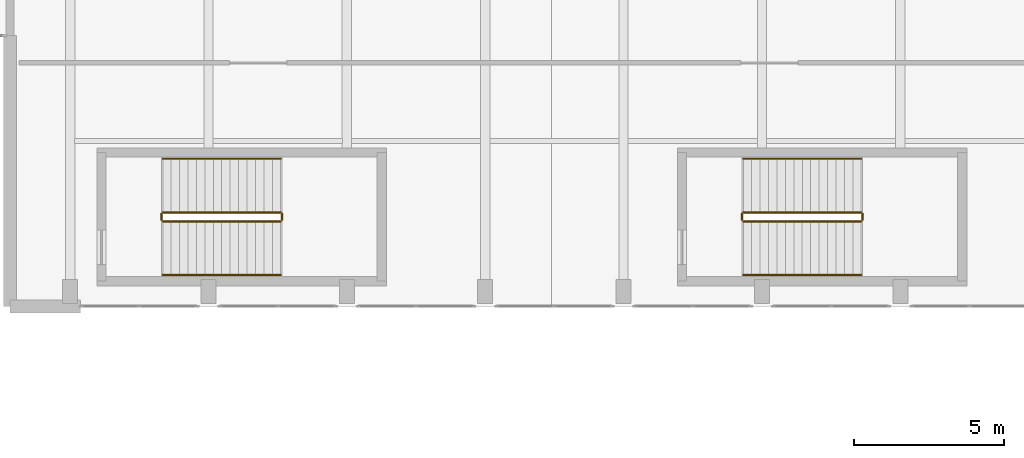
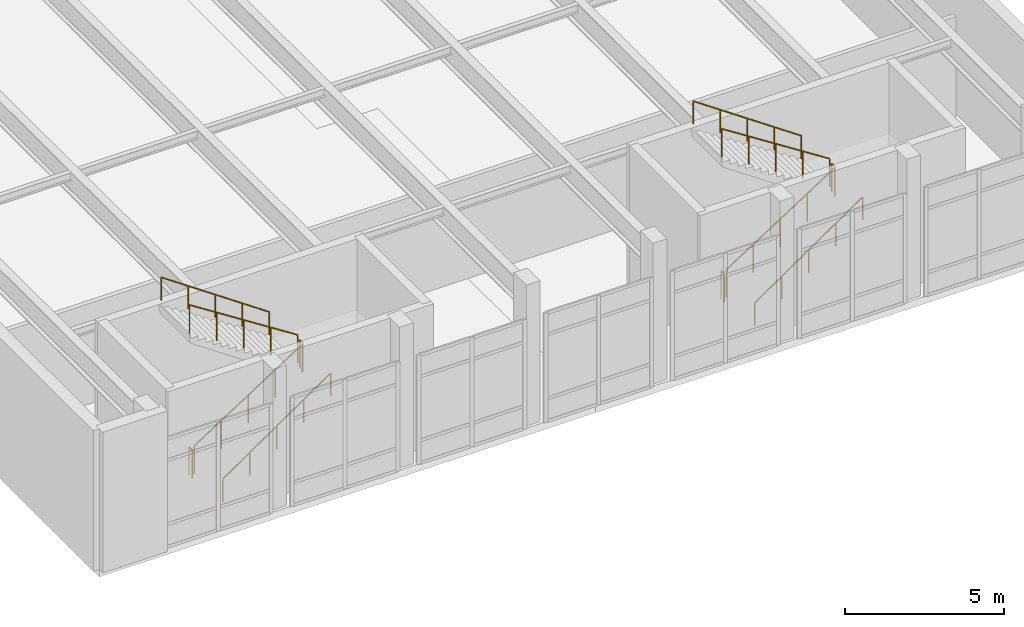
# One storey, part 82 of 84: 12 railings.
"""IFC4 building model written with IfcOpenShell, lengths in metres."""

from ifc_helpers import new_model, si_unit, direction, frame, origin, origin_2d, place, context, subcontext, project, spatial, circle, extrude, material, type_object, element, save


model = new_model("IFC4")

# Units and contexts
model_context = context("Model", 3, precision=1e-05, world=origin(), true_north=direction((0.0, 1.0)))
body_context = subcontext(model_context, "Body", "Model", "MODEL_VIEW")
ifc_project = project(units=[si_unit("LENGTHUNIT", "METRE"), si_unit("AREAUNIT", "SQUARE_METRE"), si_unit("VOLUMEUNIT", "CUBIC_METRE"), si_unit("PLANEANGLEUNIT", "RADIAN"), si_unit("MASSUNIT", "GRAM", prefix="KILO")], contexts=[model_context])

# Site, building, storey
site_placement = place(None, origin())
site = spatial("IfcSite", under=ifc_project, at=site_placement, CompositionType="ELEMENT")
building_placement = place(site_placement, origin())
building = spatial("IfcBuilding", under=site, at=building_placement, Name="Tlacozan Convention Centre", CompositionType="ELEMENT")
storey_placement = place(building_placement, frame((0.0, 0.0, 6.0)))
storey = spatial("IfcBuildingStorey", under=building, at=storey_placement, Name="L01", CompositionType="ELEMENT", Elevation=6.0)

# Railings
ifc_material = material(Name="Architectural Painted Galvanised Steel Railing", Category="steel")
railing_type_1 = type_object("IfcRailingType", Name="Stair Wall Handrail 900", PredefinedType="HANDRAIL", material=ifc_material)
railing_1_placement = place(storey_placement, frame((168.3798828125, 19.050048828125, 0.179931640625)))
element("IfcRailing", 1, at=railing_1_placement, inside=storey, type_object=railing_type_1, Name="L01 ST-07 stair handrail 1", PredefinedType="HANDRAIL", context=body_context, shape_type="SweptSolid", body=[
    extrude(circle(Radius=0.02392578125, at=origin_2d()), frame((0.0, 0.0, 0.8759765625), z_axis=(0.823567234665, 0.0, 0.567218661528), x_axis=(0.0, 1.0, 0.0)), (0.0, 0.0, 1.0), 4.760009765625),
    extrude(circle(Radius=0.02099609375, at=origin_2d()), origin(), (0.0, 0.0, 1.0), 0.851806640625),
    extrude(circle(Radius=0.02099609375, at=origin_2d()), frame((0.97998046875, 0.0, 0.675048828125)), (0.0, 0.0, 1.0), 0.851806640625),
    extrude(circle(Radius=0.02099609375, at=origin_2d()), frame((1.9599609375, 0.0, 1.35009765625)), (0.0, 0.0, 1.0), 0.851806640625),
    extrude(circle(Radius=0.02099609375, at=origin_2d()), frame((2.940185546875, 0.0, 2.02490234375)), (0.0, 0.0, 1.0), 0.851806640625),
    extrude(circle(Radius=0.02099609375, at=origin_2d()), frame((3.920166015625, 0.0, 2.699951171875)), (0.0, 0.0, 1.0), 0.851806640625),
])
railing_2_placement = place(storey_placement, frame((172.300048828125, 22.909912109375, 2.8798828125)))
element("IfcRailing", 2, at=railing_2_placement, inside=storey, type_object=railing_type_1, Name="L01 ST-07 stair handrail 2", PredefinedType="HANDRAIL", context=body_context, shape_type="SweptSolid", body=[
    extrude(circle(Radius=0.02392578125, at=origin_2d()), frame((0.0, 0.0, 0.8759765625), z_axis=(-0.82354327477, 0.0, 0.567253448276), x_axis=(0.0, -1.0, 0.0)), (0.0, 0.0, 1.0), 4.760009765625),
    extrude(circle(Radius=0.02099609375, at=origin_2d()), origin(), (0.0, 0.0, 1.0), 0.851806640625),
    extrude(circle(Radius=0.02099609375, at=origin_2d()), frame((-0.97998046875, 0.0, 0.675048828125)), (0.0, 0.0, 1.0), 0.851806640625),
    extrude(circle(Radius=0.02099609375, at=origin_2d()), frame((-1.9599609375, 0.0, 1.35009765625)), (0.0, 0.0, 1.0), 0.851806640625),
    extrude(circle(Radius=0.02099609375, at=origin_2d()), frame((-2.940185546875, 0.0, 2.025146484375)), (0.0, 0.0, 1.0), 0.851806640625),
    extrude(circle(Radius=0.02099609375, at=origin_2d()), frame((-3.920166015625, 0.0, 2.7001953125)), (0.0, 0.0, 1.0), 0.851806640625),
])
railing_3_placement = place(storey_placement, frame((149.080078125, 19.050048828125, 0.179931640625)))
element("IfcRailing", 3, at=railing_3_placement, inside=storey, type_object=railing_type_1, Name="L01 ST-08 stair handrail 1", PredefinedType="HANDRAIL", context=body_context, shape_type="SweptSolid", body=[
    extrude(circle(Radius=0.02392578125, at=origin_2d()), frame((0.0, 0.0, 0.8759765625), z_axis=(0.823550731654, 0.0, 0.567242622158), x_axis=(0.0, 1.0, 0.0)), (0.0, 0.0, 1.0), 4.759765625),
    extrude(circle(Radius=0.02099609375, at=origin_2d()), origin(), (0.0, 0.0, 1.0), 0.851806640625),
    extrude(circle(Radius=0.02099609375, at=origin_2d()), frame((0.97998046875, 0.0, 0.675048828125)), (0.0, 0.0, 1.0), 0.851806640625),
    extrude(circle(Radius=0.02099609375, at=origin_2d()), frame((1.9599609375, 0.0, 1.35009765625)), (0.0, 0.0, 1.0), 0.851806640625),
    extrude(circle(Radius=0.02099609375, at=origin_2d()), frame((2.93994140625, 0.0, 2.02490234375)), (0.0, 0.0, 1.0), 0.851806640625),
    extrude(circle(Radius=0.02099609375, at=origin_2d()), frame((3.919921875, 0.0, 2.699951171875)), (0.0, 0.0, 1.0), 0.851806640625),
])
railing_4_placement = place(storey_placement, frame((153.0, 22.909912109375, 2.8798828125)))
element("IfcRailing", 4, at=railing_4_placement, inside=storey, type_object=railing_type_1, Name="L01 ST-08 stair handrail 2", PredefinedType="HANDRAIL", context=body_context, shape_type="SweptSolid", body=[
    extrude(circle(Radius=0.02392578125, at=origin_2d()), frame((0.0, 0.0, 0.8759765625), z_axis=(-0.823526770215, 0.0, 0.56727740898), x_axis=(0.0, -1.0, 0.0)), (0.0, 0.0, 1.0), 4.760009765625),
    extrude(circle(Radius=0.02099609375, at=origin_2d()), origin(), (0.0, 0.0, 1.0), 0.851806640625),
    extrude(circle(Radius=0.02099609375, at=origin_2d()), frame((-0.97998046875, 0.0, 0.675048828125)), (0.0, 0.0, 1.0), 0.851806640625),
    extrude(circle(Radius=0.02099609375, at=origin_2d()), frame((-1.9599609375, 0.0, 1.35009765625)), (0.0, 0.0, 1.0), 0.851806640625),
    extrude(circle(Radius=0.02099609375, at=origin_2d()), frame((-2.93994140625, 0.0, 2.025146484375)), (0.0, 0.0, 1.0), 0.851806640625),
    extrude(circle(Radius=0.02099609375, at=origin_2d()), frame((-3.919921875, 0.0, 2.7001953125)), (0.0, 0.0, 1.0), 0.851806640625),
])
railing_type_2 = type_object("IfcRailingType", Name="Stair Well Guardrail 1100", PredefinedType="GUARDRAIL", material=ifc_material)
railing_5_placement = place(storey_placement, frame((168.3798828125, 20.830078125, 0.179931640625)))
element("IfcRailing", 5, at=railing_5_placement, inside=storey, type_object=railing_type_2, Name="L01 ST-07 stair guard 1", PredefinedType="GUARDRAIL", context=body_context, shape_type="SweptSolid", body=[
    extrude(circle(Radius=0.02392578125, at=origin_2d()), frame((0.0, 0.0, 1.076171875), z_axis=(0.841186985886, 0.0, 0.540744352514), x_axis=(0.0, 1.0, 0.0)), (0.0, 0.0, 1.0), 4.660400390625),
    extrude(circle(Radius=0.02099609375, at=origin_2d()), origin(), (0.0, 0.0, 1.0), 1.052001953125),
    extrude(circle(Radius=0.02099609375, at=origin_2d()), frame((0.97998046875, 0.0, 0.6298828125)), (0.0, 0.0, 1.0), 1.052001953125),
    extrude(circle(Radius=0.02099609375, at=origin_2d()), frame((1.9599609375, 0.0, 1.260009765625)), (0.0, 0.0, 1.0), 1.052001953125),
    extrude(circle(Radius=0.02099609375, at=origin_2d()), frame((2.940185546875, 0.0, 1.89013671875)), (0.0, 0.0, 1.0), 1.052001953125),
    extrude(circle(Radius=0.02099609375, at=origin_2d()), frame((3.920166015625, 0.0, 2.52001953125)), (0.0, 0.0, 1.0), 1.052001953125),
])
railing_6_placement = place(storey_placement, frame((172.35009765625, 20.8798828125, 2.699951171875)))
element("IfcRailing", 6, at=railing_6_placement, inside=storey, type_object=railing_type_2, Name="L01 ST-07 stair guard 2", PredefinedType="GUARDRAIL", context=body_context, shape_type="SweptSolid", body=[
    extrude(circle(Radius=0.02392578125, at=origin_2d()), frame((0.0, 0.0, 1.076171875), z_axis=(0.0, 1.0, 0.0), x_axis=(-1.0, 0.0, 0.0)), (0.0, 0.0, 1.0), 0.2001953125),
    extrude(circle(Radius=0.02099609375, at=origin_2d()), origin(), (0.0, 0.0, 1.0), 1.052001953125),
    extrude(circle(Radius=0.02099609375, at=origin_2d()), frame((0.0, 0.2001953125, 0.0)), (0.0, 0.0, 1.0), 1.052001953125),
])
railing_7_placement = place(storey_placement, frame((172.300048828125, 21.1298828125, 2.8798828125)))
element("IfcRailing", 7, at=railing_7_placement, inside=storey, type_object=railing_type_2, Name="L01 ST-07 stair guard 3", PredefinedType="GUARDRAIL", context=body_context, shape_type="SweptSolid", body=[
    extrude(circle(Radius=0.02392578125, at=origin_2d()), frame((0.0, 0.0, 1.076171875), z_axis=(-0.841186985886, 0.0, 0.540744352514), x_axis=(0.0, -1.0, 0.0)), (0.0, 0.0, 1.0), 4.660400390625),
    extrude(circle(Radius=0.02099609375, at=origin_2d()), origin(), (0.0, 0.0, 1.0), 1.052001953125),
    extrude(circle(Radius=0.02099609375, at=origin_2d()), frame((-0.97998046875, 0.0, 0.6298828125)), (0.0, 0.0, 1.0), 1.052001953125),
    extrude(circle(Radius=0.02099609375, at=origin_2d()), frame((-1.9599609375, 0.0, 1.260009765625)), (0.0, 0.0, 1.0), 1.052001953125),
    extrude(circle(Radius=0.02099609375, at=origin_2d()), frame((-2.940185546875, 0.0, 1.89013671875)), (0.0, 0.0, 1.0), 1.052001953125),
    extrude(circle(Radius=0.02099609375, at=origin_2d()), frame((-3.920166015625, 0.0, 2.52001953125)), (0.0, 0.0, 1.0), 1.052001953125),
])
railing_8_placement = place(storey_placement, frame((168.330078125, 20.8798828125, 0.0)))
element("IfcRailing", 8, at=railing_8_placement, inside=storey, type_object=railing_type_2, Name="L01 ST-07 stair guard 4", PredefinedType="GUARDRAIL", context=body_context, shape_type="SweptSolid", body=[
    extrude(circle(Radius=0.02392578125, at=origin_2d()), frame((0.0, 0.0, 1.076171875), z_axis=(0.0, 1.0, 0.0), x_axis=(-1.0, 0.0, 0.0)), (0.0, 0.0, 1.0), 0.2001953125),
    extrude(circle(Radius=0.02099609375, at=origin_2d()), origin(), (0.0, 0.0, 1.0), 1.052001953125),
    extrude(circle(Radius=0.02099609375, at=origin_2d()), frame((0.0, 0.2001953125, 0.0)), (0.0, 0.0, 1.0), 1.052001953125),
])
railing_9_placement = place(storey_placement, frame((149.080078125, 20.830078125, 0.179931640625)))
element("IfcRailing", 9, at=railing_9_placement, inside=storey, type_object=railing_type_2, Name="L01 ST-08 stair guard 1", PredefinedType="GUARDRAIL", context=body_context, shape_type="SweptSolid", body=[
    extrude(circle(Radius=0.02392578125, at=origin_2d()), frame((0.0, 0.0, 1.076171875), z_axis=(0.841171666519, 0.0, 0.540768182723), x_axis=(0.0, 1.0, 0.0)), (0.0, 0.0, 1.0), 4.66015625),
    extrude(circle(Radius=0.02099609375, at=origin_2d()), origin(), (0.0, 0.0, 1.0), 1.052001953125),
    extrude(circle(Radius=0.02099609375, at=origin_2d()), frame((0.97998046875, 0.0, 0.6298828125)), (0.0, 0.0, 1.0), 1.052001953125),
    extrude(circle(Radius=0.02099609375, at=origin_2d()), frame((1.9599609375, 0.0, 1.260009765625)), (0.0, 0.0, 1.0), 1.052001953125),
    extrude(circle(Radius=0.02099609375, at=origin_2d()), frame((2.93994140625, 0.0, 1.89013671875)), (0.0, 0.0, 1.0), 1.052001953125),
    extrude(circle(Radius=0.02099609375, at=origin_2d()), frame((3.919921875, 0.0, 2.52001953125)), (0.0, 0.0, 1.0), 1.052001953125),
])
railing_10_placement = place(storey_placement, frame((153.050048828125, 20.8798828125, 2.699951171875)))
element("IfcRailing", 10, at=railing_10_placement, inside=storey, type_object=railing_type_2, Name="L01 ST-08 stair guard 2", PredefinedType="GUARDRAIL", context=body_context, shape_type="SweptSolid", body=[
    extrude(circle(Radius=0.02392578125, at=origin_2d()), frame((0.0, 0.0, 1.076171875), z_axis=(0.0, 1.0, 0.0), x_axis=(-1.0, 0.0, 0.0)), (0.0, 0.0, 1.0), 0.2001953125),
    extrude(circle(Radius=0.02099609375, at=origin_2d()), origin(), (0.0, 0.0, 1.0), 1.052001953125),
    extrude(circle(Radius=0.02099609375, at=origin_2d()), frame((0.0, 0.2001953125, 0.0)), (0.0, 0.0, 1.0), 1.052001953125),
])
railing_11_placement = place(storey_placement, frame((153.0, 21.1298828125, 2.8798828125)))
element("IfcRailing", 11, at=railing_11_placement, inside=storey, type_object=railing_type_2, Name="L01 ST-08 stair guard 3", PredefinedType="GUARDRAIL", context=body_context, shape_type="SweptSolid", body=[
    extrude(circle(Radius=0.02392578125, at=origin_2d()), frame((0.0, 0.0, 1.076171875), z_axis=(-0.841171666519, 0.0, 0.540768182723), x_axis=(0.0, -1.0, 0.0)), (0.0, 0.0, 1.0), 4.66015625),
    extrude(circle(Radius=0.02099609375, at=origin_2d()), origin(), (0.0, 0.0, 1.0), 1.052001953125),
    extrude(circle(Radius=0.02099609375, at=origin_2d()), frame((-0.97998046875, 0.0, 0.6298828125)), (0.0, 0.0, 1.0), 1.052001953125),
    extrude(circle(Radius=0.02099609375, at=origin_2d()), frame((-1.9599609375, 0.0, 1.260009765625)), (0.0, 0.0, 1.0), 1.052001953125),
    extrude(circle(Radius=0.02099609375, at=origin_2d()), frame((-2.93994140625, 0.0, 1.89013671875)), (0.0, 0.0, 1.0), 1.052001953125),
    extrude(circle(Radius=0.02099609375, at=origin_2d()), frame((-3.919921875, 0.0, 2.52001953125)), (0.0, 0.0, 1.0), 1.052001953125),
])
railing_12_placement = place(storey_placement, frame((149.030029296875, 20.8798828125, 0.0)))
element("IfcRailing", 12, at=railing_12_placement, inside=storey, type_object=railing_type_2, Name="L01 ST-08 stair guard 4", PredefinedType="GUARDRAIL", context=body_context, shape_type="SweptSolid", body=[
    extrude(circle(Radius=0.02392578125, at=origin_2d()), frame((0.0, 0.0, 1.076171875), z_axis=(0.0, 1.0, 0.0), x_axis=(-1.0, 0.0, 0.0)), (0.0, 0.0, 1.0), 0.2001953125),
    extrude(circle(Radius=0.02099609375, at=origin_2d()), origin(), (0.0, 0.0, 1.0), 1.052001953125),
    extrude(circle(Radius=0.02099609375, at=origin_2d()), frame((0.0, 0.2001953125, 0.0)), (0.0, 0.0, 1.0), 1.052001953125),
])

save(model, "model.ifc")
